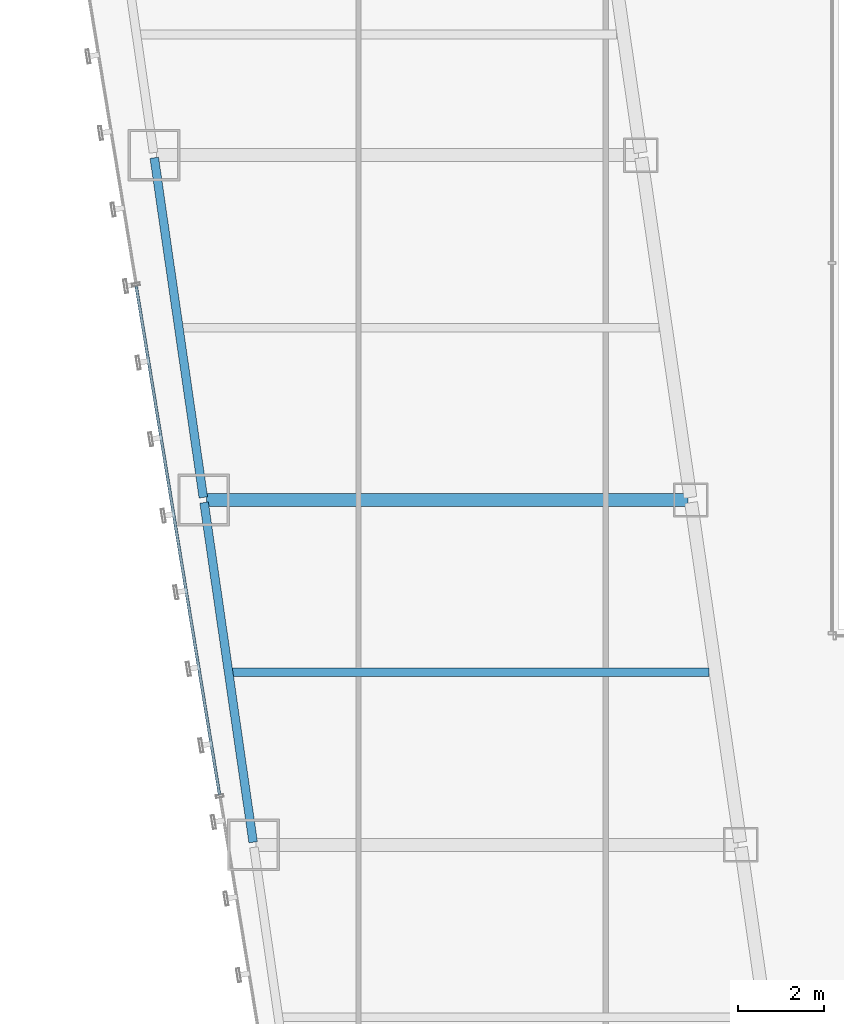
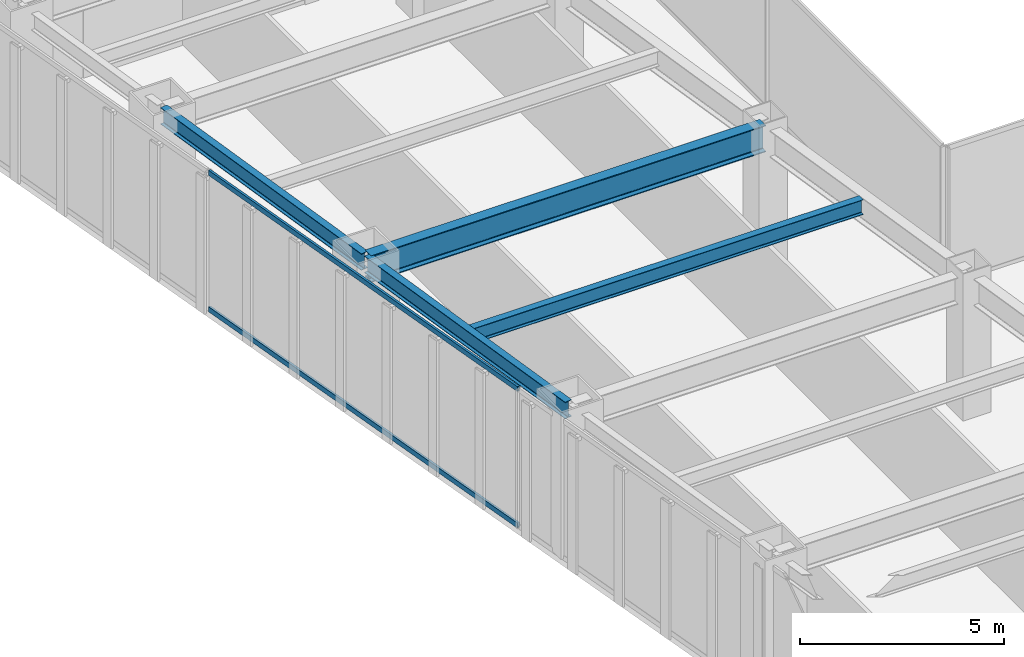
# One storey, part 10 of 47: 4 beams, 2 members, 1 element without a shape of its own.
"""IFC4 building model written with IfcOpenShell, lengths in metres."""

import ifcopenshell
import ifcopenshell.guid

model = None  # the IFC model being written
_history = None  # IfcOwnerHistory: only IFC2X3 demands one
_inside = {}  # id of a spatial element -> (the spatial element, [elements in it])
_under = {}  # id of a project, library or spatial element -> (it, [spatial elements below it])
_declared = {}  # id of a project -> (the project, [libraries it declares])
_typed = {}  # id of a type object -> (the type object, [elements of that type])
_made_of = {}  # id of a material, layer set ... -> (it, [elements and type objects made of it])


def new_model(schema):
    """Start an empty IFC model of exactly this schema.

    Asked for "IFC4X3", IfcOpenShell would pick the latest addendum, in which some entities
    have other attributes; the version numbers below select the first issue.
    IFC2X3 requires an IfcOwnerHistory on every rooted entity: one is made here for all.
    """
    global model, _history
    if schema == "IFC4X3":
        model = ifcopenshell.file(schema_version=(4, 3, 0, 0))
    else:
        model = ifcopenshell.file(schema=schema)
    _inside.clear()
    _under.clear()
    _declared.clear()
    _typed.clear()
    _made_of.clear()
    _history = None
    if model.schema == "IFC2X3":
        org = make("IfcOrganization", Name="unknown")
        user = make(
            "IfcPersonAndOrganization",
            ThePerson=make("IfcPerson", FamilyName="unknown"),
            TheOrganization=org,
        )
        app = make(
            "IfcApplication",
            ApplicationDeveloper=org,
            Version="unknown",
            ApplicationFullName="unknown",
            ApplicationIdentifier="unknown",
        )
        _history = make(
            "IfcOwnerHistory",
            OwningUser=user,
            OwningApplication=app,
            ChangeAction="ADDED",
            CreationDate=0,
        )
    return model


def make(cls, **values):
    """One entity of the class cls with the attributes given. An attribute that is None is left unset."""
    return model.create_entity(
        cls, **{name: value for name, value in values.items() if value is not None}
    )


def rooted(cls, **values):
    """An entity with a GlobalId (a new one), such as an element, a storey or a relation."""
    return make(cls, GlobalId=ifcopenshell.guid.new(), OwnerHistory=_history, **values)


def si_unit(unit_type, name, prefix=None):
    """IfcSIUnit, for example si_unit("LENGTHUNIT", "METRE", prefix="MILLI")."""
    return make("IfcSIUnit", UnitType=unit_type, Prefix=prefix, Name=name)


def assignment(units):
    """IfcUnitAssignment: the units of a project."""
    return None if units is None else make("IfcUnitAssignment", Units=units)


def point(xyz):
    """IfcCartesianPoint."""
    return None if xyz is None else make("IfcCartesianPoint", Coordinates=xyz)


def direction(xyz):
    """IfcDirection."""
    return None if xyz is None else make("IfcDirection", DirectionRatios=xyz)


def frame(location, z_axis=None, x_axis=None):
    """IfcAxis2Placement3D, a coordinate frame: its origin and axes. An axis left out is left unset."""
    return make(
        "IfcAxis2Placement3D",
        Location=point(location),
        Axis=direction(z_axis),
        RefDirection=direction(x_axis),
    )


def frame_2d(location, x_axis=None):
    """IfcAxis2Placement2D, a coordinate frame in the plane: its origin and x axis."""
    return make(
        "IfcAxis2Placement2D", Location=point(location), RefDirection=direction(x_axis)
    )


def origin():
    """The frame at (0, 0, 0) with its axes left unset."""
    return frame((0.0, 0.0, 0.0))


def origin_2d():
    """The frame at (0, 0) in the plane with its x axis left unset."""
    return frame_2d((0.0, 0.0))


def place(relative_to, where):
    """IfcLocalPlacement: puts the frame where relative to a parent placement (None: the world)."""
    return make(
        "IfcLocalPlacement", PlacementRelTo=relative_to, RelativePlacement=where
    )


def context(
    kind, dimensions, precision=None, world=None, true_north=None, identifier=None
):
    """IfcGeometricRepresentationContext, for example the 3D "Model" context."""
    return make(
        "IfcGeometricRepresentationContext",
        ContextIdentifier=identifier,
        ContextType=kind,
        CoordinateSpaceDimension=dimensions,
        Precision=precision,
        WorldCoordinateSystem=world,
        TrueNorth=true_north,
    )


def subcontext(parent, identifier, kind, view, scale=None):
    """IfcGeometricRepresentationSubContext, for example "Body" below "Model"."""
    return make(
        "IfcGeometricRepresentationSubContext",
        ContextIdentifier=identifier,
        ContextType=kind,
        ParentContext=parent,
        TargetScale=scale,
        TargetView=view,
    )


def project(units=None, contexts=None):
    """IfcProject with its units and contexts."""
    return rooted(
        "IfcProject",
        Name="project",
        RepresentationContexts=contexts,
        UnitsInContext=assignment(units),
    )


def spatial(cls, under=None, at=None, **own):
    """A site, building, storey or space (cls), placed at a placement, below another one or the project."""
    s = rooted(cls, ObjectPlacement=at, **own)
    if under is not None:
        _under.setdefault(under.id(), (under, []))[1].append(s)
    return s


def profile(cls, at=None, kind="AREA", **sizes):
    """A parametric profile (cls). Its sizes go by their IFC names, for example OverallWidth=200.0."""
    return make(cls, ProfileType=kind, Position=at, **sizes)


def hollow_rectangle(**sizes):
    """IfcRectangleHollowProfileDef."""
    return profile("IfcRectangleHollowProfileDef", **sizes)


def i_section(**sizes):
    """IfcIShapeProfileDef."""
    return profile("IfcIShapeProfileDef", **sizes)


def extrude(swept, where, along, depth):
    """IfcExtrudedAreaSolid: the profile swept, set in the frame where, extruded along a direction by depth."""
    return make(
        "IfcExtrudedAreaSolid",
        SweptArea=swept,
        Position=where,
        ExtrudedDirection=direction(along),
        Depth=depth,
    )


def shape(context_of_items, identifier, shape_type, items):
    """IfcShapeRepresentation: the items that make up one representation, for example the "Body"."""
    return make(
        "IfcShapeRepresentation",
        ContextOfItems=context_of_items,
        RepresentationIdentifier=identifier,
        RepresentationType=shape_type,
        Items=items,
    )


def material(Name=None, Category=None):
    """IfcMaterial."""
    return make("IfcMaterial", Name=Name, Category=Category)


def material_profile(
    of_material, cross_section, Name=None, Category=None, Priority=None
):
    """IfcMaterialProfile: a cross section and its material."""
    return make(
        "IfcMaterialProfile",
        Name=Name,
        Material=of_material,
        Profile=cross_section,
        Priority=Priority,
        Category=Category,
    )


def profile_set(profiles, Name=None, composite=None):
    """IfcMaterialProfileSet."""
    return make(
        "IfcMaterialProfileSet",
        Name=Name,
        MaterialProfiles=profiles,
        CompositeProfile=composite,
    )


def made_of(thing, what):
    """Note that an element or type object is made of a material, layer set ...; save() writes the relation."""
    if what is not None:
        _made_of.setdefault(what.id(), (what, []))[1].append(thing)
    return thing


def type_object(cls, material=None, **own):
    """A type object (cls), such as IfcWallType, which elements share."""
    return made_of(rooted(cls, **own), material)


def element(
    cls,
    number,
    at=None,
    inside=None,
    cuts=None,
    type_object=None,
    material=None,
    context=None,
    identifier="Body",
    shape_type=None,
    held_by="IfcProductDefinitionShape",
    body=None,
    shapes=None,
    **own,
):
    """One element of the class cls, such as IfcWall. Its Tag is "e" and its number.

    at: its placement. inside: the storey or other place that contains it. cuts: it is an
    opening in that element (IfcRelVoidsElement). A single representation is given by context,
    identifier, shape_type and body (its items); several are given by shapes. held_by: the class
    of the entity that holds the representations. save() writes the other relations.
    """
    e = rooted(cls, Tag="e%d" % number, ObjectPlacement=at, **own)
    if body is not None:
        shapes = [shape(context, identifier, shape_type, body)]
    if shapes is not None:
        e.Representation = make(held_by, Representations=shapes)
    if inside is not None:
        _inside.setdefault(inside.id(), (inside, []))[1].append(e)
    if cuts is not None:
        rooted(
            "IfcRelVoidsElement", RelatingBuildingElement=cuts, RelatedOpeningElement=e
        )
    if type_object is not None:
        _typed.setdefault(type_object.id(), (type_object, []))[1].append(e)
    return made_of(e, material)


def aggregate(whole, parts):
    """IfcRelAggregates: a whole, such as a stair, and the parts it consists of."""
    return rooted("IfcRelAggregates", RelatingObject=whole, RelatedObjects=parts)


def save(model, path):
    """Write the relations noted so far, then the file.

    IfcRelAggregates (storeys below a building ...), IfcRelContainedInSpatialStructure (elements
    in a storey), IfcRelDefinesByType, IfcRelAssociatesMaterial and IfcRelDeclares: one each for
    every whole, place, type object, material and project.
    """
    for whole, parts in _under.values():
        aggregate(whole, parts)
    for where, things in _inside.values():
        rooted(
            "IfcRelContainedInSpatialStructure",
            RelatedElements=things,
            RelatingStructure=where,
        )
    for kind, things in _typed.values():
        rooted("IfcRelDefinesByType", RelatedObjects=things, RelatingType=kind)
    for what, things in _made_of.values():
        rooted("IfcRelAssociatesMaterial", RelatedObjects=things, RelatingMaterial=what)
    for by, libraries in _declared.values():
        rooted("IfcRelDeclares", RelatingContext=by, RelatedDefinitions=libraries)
    model.write(path)


model = new_model("IFC4")

# Units and contexts
model_context = context("Model", 3, precision=1e-05, world=origin(), true_north=direction((0.0, 1.0)))
body_context = subcontext(model_context, "Body", "Model", "MODEL_VIEW")
ifc_project = project(units=[si_unit("LENGTHUNIT", "METRE"), si_unit("AREAUNIT", "SQUARE_METRE"), si_unit("VOLUMEUNIT", "CUBIC_METRE"), si_unit("PLANEANGLEUNIT", "RADIAN"), si_unit("MASSUNIT", "GRAM", prefix="KILO")], contexts=[model_context])

# Site, building, storey
site_placement = place(None, origin())
site = spatial("IfcSite", under=ifc_project, at=site_placement, CompositionType="ELEMENT")
building_placement = place(site_placement, origin())
building = spatial("IfcBuilding", under=site, at=building_placement, Name="Saevonmaru Cultural Tower", CompositionType="ELEMENT")
storey_placement = place(building_placement, frame((0.0, 0.0, 51.60009765625)))
storey = spatial("IfcBuildingStorey", under=building, at=storey_placement, Name="L10", CompositionType="ELEMENT", Elevation=51.60009765625)

# Beams
ifc_material_1 = material(Name="Steel SM420", Category="steel")
ifc_material_profile_1 = material_profile(ifc_material_1, i_section(OverallWidth=0.300048828125, OverallDepth=0.800048828125, WebThickness=0.013916015625, FlangeThickness=0.02587890625, FilletRadius=0.028076171875, at=origin_2d()), Name="H-800x300x14x26")
ifc_profile_set_1 = profile_set([ifc_material_profile_1], Name="Steel SM420")
beam_type_1 = type_object("IfcBeamType", Name="BM-G-H800", PredefinedType="BEAM", material=ifc_profile_set_1)
beam_1_placement = place(storey_placement, frame((9.531982421875, 24.0, 3.75), z_axis=(1.0, 0.0, 0.0), x_axis=(0.0, 1.0, 0.0)))
element("IfcBeam", 1, at=beam_1_placement, inside=storey, type_object=beam_type_1, Name="L10 West Wing Transverse Girder 4", PredefinedType="BEAM", context=body_context, shape_type="SweptSolid", body=[
    extrude(i_section(OverallWidth=0.300048828125, OverallDepth=0.800048828125, WebThickness=0.013916015625, FlangeThickness=0.02587890625, FilletRadius=0.028076171875, at=origin_2d()), origin(), (0.0, 0.0, 1.0), 11.179931640625),
])
ifc_material_2 = material(Name="Steel SM355", Category="steel")
ifc_material_profile_2 = material_profile(ifc_material_2, i_section(OverallWidth=0.199951171875, OverallDepth=0.449951171875, WebThickness=0.009033203125, FlangeThickness=0.013916015625, FilletRadius=0.01806640625, at=origin_2d()), Name="H-450x200x9x14")
ifc_profile_set_2 = profile_set([ifc_material_profile_2], Name="Steel SM355")
beam_type_2 = type_object("IfcBeamType", Name="BM-J-H450", PredefinedType="JOIST", material=ifc_profile_set_2)
beam_2_placement = place(storey_placement, frame((10.110107421875, 20.0, 3.9248046875), z_axis=(1.0, 0.0, 0.0), x_axis=(0.0, 1.0, 0.0)))
element("IfcBeam", 2, at=beam_2_placement, inside=storey, type_object=beam_type_2, Name="L10 West Wing Floor Joist 3", PredefinedType="JOIST", context=body_context, shape_type="SweptSolid", body=[
    extrude(i_section(OverallWidth=0.199951171875, OverallDepth=0.449951171875, WebThickness=0.009033203125, FlangeThickness=0.013916015625, FilletRadius=0.01806640625, at=origin_2d()), origin(), (0.0, 0.0, 1.0), 11.081787109375),
])
ifc_material_profile_3 = material_profile(ifc_material_2, i_section(OverallWidth=0.199951171875, OverallDepth=0.5, WebThickness=0.010009765625, FlangeThickness=0.01611328125, FilletRadius=0.02001953125, at=origin_2d()), Name="H-500x200x10x16")
ifc_profile_set_3 = profile_set([ifc_material_profile_3], Name="Steel SM355")
beam_type_3 = type_object("IfcBeamType", Name="BM-SP-H500", PredefinedType="SPANDREL", material=ifc_profile_set_3)
for number, where, z_axis, x_axis, name in (
    (3, (10.619384765625, 16.059326171875, 3.89990234375), (-0.142992129437, 0.989723825579, 0.0), (-0.989723825579, -0.142992129437, 0.0), "L10 West Splayed Spandrel 3"),
    (4, (9.46337890625, 24.059326171875, 3.89990234375), (-0.142871999001, 0.989741174197, 0.0), (-0.989741174197, -0.142871999001, 0.0), "L10 West Splayed Spandrel 4"),
):
    element("IfcBeam", number, at=place(storey_placement, frame(where, z_axis=z_axis, x_axis=x_axis)), inside=storey, type_object=beam_type_3, Name=name, PredefinedType="SPANDREL", context=body_context, shape_type="SweptSolid", body=[
        extrude(i_section(OverallWidth=0.199951171875, OverallDepth=0.5, WebThickness=0.010009765625, FlangeThickness=0.01611328125, FilletRadius=0.02001953125, at=origin_2d()), origin(), (0.0, 0.0, 1.0), 7.963134765625),
    ])

# Curtain wall, members
ifc_material_3 = material(Name="Satin Bronze Anodised Aluminium", Category="aluminium")
curtain_wall_type = type_object("IfcCurtainWallType", Name="CW-TYP-A", PredefinedType="NOTDEFINED", material=ifc_material_3)
curtain_wall_placement = place(storey_placement, origin())
curtain_wall = element("IfcCurtainWall", 5, at=curtain_wall_placement, inside=storey, type_object=curtain_wall_type, Name="L10 Unitised Curtain Wall E12", PredefinedType="NOTDEFINED")
ifc_material_profile_4 = material_profile(ifc_material_3, hollow_rectangle(XDim=0.06494140625, YDim=0.14990234375, WallThickness=0.00390625, at=origin_2d()), Name="ALU-TRAN-150x65x4")
ifc_profile_set_4 = profile_set([ifc_material_profile_4], Name="Satin Bronze Anodised Aluminium")
member_type = type_object("IfcMemberType", Name="TR-CW-150x65", PredefinedType="USERDEFINED", material=ifc_profile_set_4)
member_1_placement = place(storey_placement, frame((7.9052734375, 28.968017578125, 0.032470703125), z_axis=(0.161701400727, -0.986839732177, 0.0), x_axis=(0.986839732177, 0.161701400727, 0.0)))
member_1 = element("IfcMember", 6, at=member_1_placement, type_object=member_type, Name="CW-TW-L10-E12 transom 3.1", ObjectType="TRANSOM", PredefinedType="USERDEFINED", context=body_context, shape_type="SweptSolid", body=[
    extrude(hollow_rectangle(XDim=0.06494140625, YDim=0.14990234375, WallThickness=0.00390625, at=origin_2d()), origin(), (0.0, 0.0, 1.0), 11.9638671875),
])
member_2_placement = place(storey_placement, frame((7.9052734375, 28.968017578125, 4.117431640625), z_axis=(0.161701400727, -0.986839732177, 0.0), x_axis=(0.986839732177, 0.161701400727, 0.0)))
member_2 = element("IfcMember", 7, at=member_2_placement, type_object=member_type, Name="CW-TW-L10-E12 transom 3.2", ObjectType="TRANSOM", PredefinedType="USERDEFINED", context=body_context, shape_type="SweptSolid", body=[
    extrude(hollow_rectangle(XDim=0.06494140625, YDim=0.14990234375, WallThickness=0.00390625, at=origin_2d()), origin(), (0.0, 0.0, 1.0), 11.9638671875),
])
aggregate(curtain_wall, [member_1, member_2])

save(model, "model.ifc")
